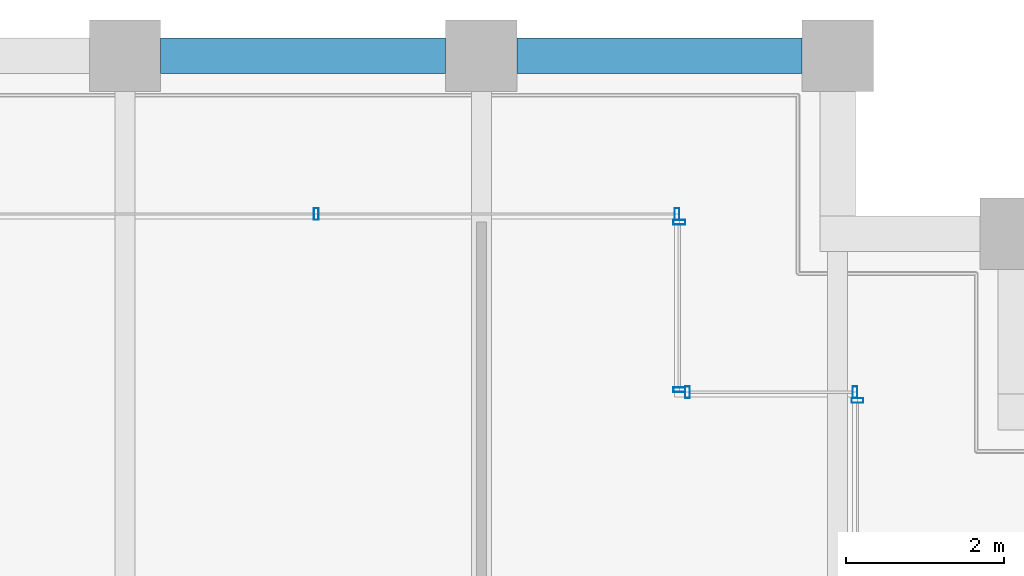
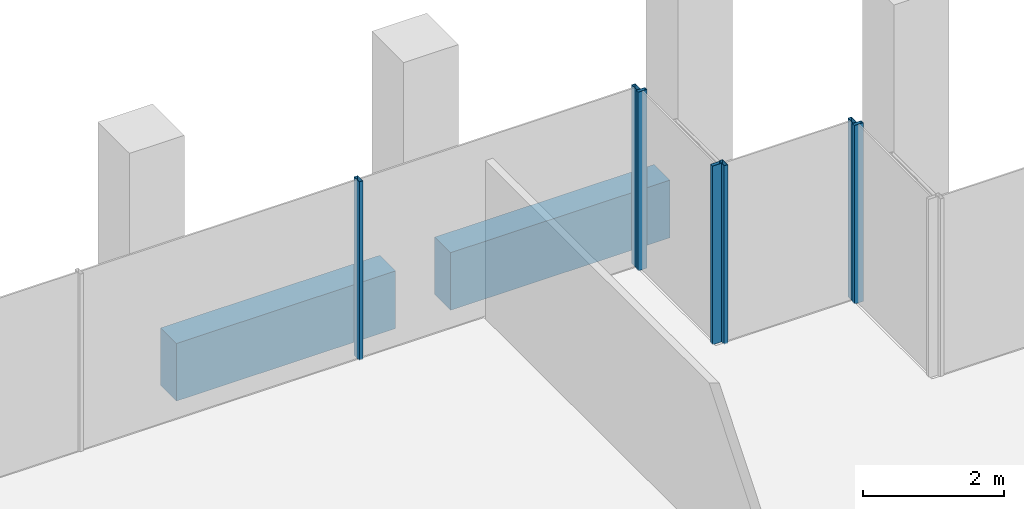
# One storey, part 26 of 40: 7 members, 2 beams, 4 elements without a shape of their own.
"""IFC4 building model written with IfcOpenShell, lengths in metres."""

import ifcopenshell
import ifcopenshell.guid

model = None  # the IFC model being written
_history = None  # IfcOwnerHistory: only IFC2X3 demands one
_inside = {}  # id of a spatial element -> (the spatial element, [elements in it])
_under = {}  # id of a project, library or spatial element -> (it, [spatial elements below it])
_declared = {}  # id of a project -> (the project, [libraries it declares])
_typed = {}  # id of a type object -> (the type object, [elements of that type])
_made_of = {}  # id of a material, layer set ... -> (it, [elements and type objects made of it])


def new_model(schema):
    """Start an empty IFC model of exactly this schema.

    Asked for "IFC4X3", IfcOpenShell would pick the latest addendum, in which some entities
    have other attributes; the version numbers below select the first issue.
    IFC2X3 requires an IfcOwnerHistory on every rooted entity: one is made here for all.
    """
    global model, _history
    if schema == "IFC4X3":
        model = ifcopenshell.file(schema_version=(4, 3, 0, 0))
    else:
        model = ifcopenshell.file(schema=schema)
    _inside.clear()
    _under.clear()
    _declared.clear()
    _typed.clear()
    _made_of.clear()
    _history = None
    if model.schema == "IFC2X3":
        org = make("IfcOrganization", Name="unknown")
        user = make(
            "IfcPersonAndOrganization",
            ThePerson=make("IfcPerson", FamilyName="unknown"),
            TheOrganization=org,
        )
        app = make(
            "IfcApplication",
            ApplicationDeveloper=org,
            Version="unknown",
            ApplicationFullName="unknown",
            ApplicationIdentifier="unknown",
        )
        _history = make(
            "IfcOwnerHistory",
            OwningUser=user,
            OwningApplication=app,
            ChangeAction="ADDED",
            CreationDate=0,
        )
    return model


def make(cls, **values):
    """One entity of the class cls with the attributes given. An attribute that is None is left unset."""
    return model.create_entity(
        cls, **{name: value for name, value in values.items() if value is not None}
    )


def rooted(cls, **values):
    """An entity with a GlobalId (a new one), such as an element, a storey or a relation."""
    return make(cls, GlobalId=ifcopenshell.guid.new(), OwnerHistory=_history, **values)


def si_unit(unit_type, name, prefix=None):
    """IfcSIUnit, for example si_unit("LENGTHUNIT", "METRE", prefix="MILLI")."""
    return make("IfcSIUnit", UnitType=unit_type, Prefix=prefix, Name=name)


def assignment(units):
    """IfcUnitAssignment: the units of a project."""
    return None if units is None else make("IfcUnitAssignment", Units=units)


def point(xyz):
    """IfcCartesianPoint."""
    return None if xyz is None else make("IfcCartesianPoint", Coordinates=xyz)


def direction(xyz):
    """IfcDirection."""
    return None if xyz is None else make("IfcDirection", DirectionRatios=xyz)


def frame(location, z_axis=None, x_axis=None):
    """IfcAxis2Placement3D, a coordinate frame: its origin and axes. An axis left out is left unset."""
    return make(
        "IfcAxis2Placement3D",
        Location=point(location),
        Axis=direction(z_axis),
        RefDirection=direction(x_axis),
    )


def frame_2d(location, x_axis=None):
    """IfcAxis2Placement2D, a coordinate frame in the plane: its origin and x axis."""
    return make(
        "IfcAxis2Placement2D", Location=point(location), RefDirection=direction(x_axis)
    )


def origin():
    """The frame at (0, 0, 0) with its axes left unset."""
    return frame((0.0, 0.0, 0.0))


def origin_2d():
    """The frame at (0, 0) in the plane with its x axis left unset."""
    return frame_2d((0.0, 0.0))


def place(relative_to, where):
    """IfcLocalPlacement: puts the frame where relative to a parent placement (None: the world)."""
    return make(
        "IfcLocalPlacement", PlacementRelTo=relative_to, RelativePlacement=where
    )


def context(
    kind, dimensions, precision=None, world=None, true_north=None, identifier=None
):
    """IfcGeometricRepresentationContext, for example the 3D "Model" context."""
    return make(
        "IfcGeometricRepresentationContext",
        ContextIdentifier=identifier,
        ContextType=kind,
        CoordinateSpaceDimension=dimensions,
        Precision=precision,
        WorldCoordinateSystem=world,
        TrueNorth=true_north,
    )


def subcontext(parent, identifier, kind, view, scale=None):
    """IfcGeometricRepresentationSubContext, for example "Body" below "Model"."""
    return make(
        "IfcGeometricRepresentationSubContext",
        ContextIdentifier=identifier,
        ContextType=kind,
        ParentContext=parent,
        TargetScale=scale,
        TargetView=view,
    )


def project(units=None, contexts=None):
    """IfcProject with its units and contexts."""
    return rooted(
        "IfcProject",
        Name="project",
        RepresentationContexts=contexts,
        UnitsInContext=assignment(units),
    )


def spatial(cls, under=None, at=None, **own):
    """A site, building, storey or space (cls), placed at a placement, below another one or the project."""
    s = rooted(cls, ObjectPlacement=at, **own)
    if under is not None:
        _under.setdefault(under.id(), (under, []))[1].append(s)
    return s


def profile(cls, at=None, kind="AREA", **sizes):
    """A parametric profile (cls). Its sizes go by their IFC names, for example OverallWidth=200.0."""
    return make(cls, ProfileType=kind, Position=at, **sizes)


def rectangle(**sizes):
    """IfcRectangleProfileDef."""
    return profile("IfcRectangleProfileDef", **sizes)


def hollow_rectangle(**sizes):
    """IfcRectangleHollowProfileDef."""
    return profile("IfcRectangleHollowProfileDef", **sizes)


def extrude(swept, where, along, depth):
    """IfcExtrudedAreaSolid: the profile swept, set in the frame where, extruded along a direction by depth."""
    return make(
        "IfcExtrudedAreaSolid",
        SweptArea=swept,
        Position=where,
        ExtrudedDirection=direction(along),
        Depth=depth,
    )


def shape(context_of_items, identifier, shape_type, items):
    """IfcShapeRepresentation: the items that make up one representation, for example the "Body"."""
    return make(
        "IfcShapeRepresentation",
        ContextOfItems=context_of_items,
        RepresentationIdentifier=identifier,
        RepresentationType=shape_type,
        Items=items,
    )


def material(Name=None, Category=None):
    """IfcMaterial."""
    return make("IfcMaterial", Name=Name, Category=Category)


def material_profile(
    of_material, cross_section, Name=None, Category=None, Priority=None
):
    """IfcMaterialProfile: a cross section and its material."""
    return make(
        "IfcMaterialProfile",
        Name=Name,
        Material=of_material,
        Profile=cross_section,
        Priority=Priority,
        Category=Category,
    )


def profile_set(profiles, Name=None, composite=None):
    """IfcMaterialProfileSet."""
    return make(
        "IfcMaterialProfileSet",
        Name=Name,
        MaterialProfiles=profiles,
        CompositeProfile=composite,
    )


def made_of(thing, what):
    """Note that an element or type object is made of a material, layer set ...; save() writes the relation."""
    if what is not None:
        _made_of.setdefault(what.id(), (what, []))[1].append(thing)
    return thing


def type_object(cls, material=None, **own):
    """A type object (cls), such as IfcWallType, which elements share."""
    return made_of(rooted(cls, **own), material)


def element(
    cls,
    number,
    at=None,
    inside=None,
    cuts=None,
    type_object=None,
    material=None,
    context=None,
    identifier="Body",
    shape_type=None,
    held_by="IfcProductDefinitionShape",
    body=None,
    shapes=None,
    **own,
):
    """One element of the class cls, such as IfcWall. Its Tag is "e" and its number.

    at: its placement. inside: the storey or other place that contains it. cuts: it is an
    opening in that element (IfcRelVoidsElement). A single representation is given by context,
    identifier, shape_type and body (its items); several are given by shapes. held_by: the class
    of the entity that holds the representations. save() writes the other relations.
    """
    e = rooted(cls, Tag="e%d" % number, ObjectPlacement=at, **own)
    if body is not None:
        shapes = [shape(context, identifier, shape_type, body)]
    if shapes is not None:
        e.Representation = make(held_by, Representations=shapes)
    if inside is not None:
        _inside.setdefault(inside.id(), (inside, []))[1].append(e)
    if cuts is not None:
        rooted(
            "IfcRelVoidsElement", RelatingBuildingElement=cuts, RelatedOpeningElement=e
        )
    if type_object is not None:
        _typed.setdefault(type_object.id(), (type_object, []))[1].append(e)
    return made_of(e, material)


def aggregate(whole, parts):
    """IfcRelAggregates: a whole, such as a stair, and the parts it consists of."""
    return rooted("IfcRelAggregates", RelatingObject=whole, RelatedObjects=parts)


def save(model, path):
    """Write the relations noted so far, then the file.

    IfcRelAggregates (storeys below a building ...), IfcRelContainedInSpatialStructure (elements
    in a storey), IfcRelDefinesByType, IfcRelAssociatesMaterial and IfcRelDeclares: one each for
    every whole, place, type object, material and project.
    """
    for whole, parts in _under.values():
        aggregate(whole, parts)
    for where, things in _inside.values():
        rooted(
            "IfcRelContainedInSpatialStructure",
            RelatedElements=things,
            RelatingStructure=where,
        )
    for kind, things in _typed.values():
        rooted("IfcRelDefinesByType", RelatedObjects=things, RelatingType=kind)
    for what, things in _made_of.values():
        rooted("IfcRelAssociatesMaterial", RelatedObjects=things, RelatingMaterial=what)
    for by, libraries in _declared.values():
        rooted("IfcRelDeclares", RelatingContext=by, RelatedDefinitions=libraries)
    model.write(path)


model = new_model("IFC4")

# Units and contexts
model_context = context("Model", 3, precision=1e-05, world=origin(), true_north=direction((0.0, 1.0)))
body_context = subcontext(model_context, "Body", "Model", "MODEL_VIEW")
ifc_project = project(units=[si_unit("LENGTHUNIT", "METRE"), si_unit("AREAUNIT", "SQUARE_METRE"), si_unit("VOLUMEUNIT", "CUBIC_METRE"), si_unit("PLANEANGLEUNIT", "RADIAN"), si_unit("MASSUNIT", "GRAM", prefix="KILO")], contexts=[model_context])

# Site, building, storey
site_placement = place(None, origin())
site = spatial("IfcSite", under=ifc_project, at=site_placement, CompositionType="ELEMENT")
building_placement = place(site_placement, origin())
building = spatial("IfcBuilding", under=site, at=building_placement, Name="Altepetl Exchange Towers", CompositionType="ELEMENT")
storey_placement = place(building_placement, frame((0.0, 0.0, 158.199951171875)))
storey = spatial("IfcBuildingStorey", under=building, at=storey_placement, Name="L39", CompositionType="ELEMENT", Elevation=158.199951171875)

# Curtain wall, member
ifc_material_1 = material(Name="Aluminium 6063-T6 glazing", Category="aluminium")
curtain_wall_type = type_object("IfcCurtainWallType", Name="Loggia glazing system", PredefinedType="NOTDEFINED", material=ifc_material_1)
curtain_wall_1_placement = place(storey_placement, origin())
curtain_wall_1 = element("IfcCurtainWall", 1, at=curtain_wall_1_placement, inside=storey, type_object=curtain_wall_type, Name="CW1 run", PredefinedType="NOTDEFINED")
ifc_material_2 = material(Name="Aluminium 6063-T6", Category="aluminium")
ifc_material_profile_1 = material_profile(ifc_material_2, hollow_rectangle(XDim=0.06005859375, YDim=0.14990234375, WallThickness=0.0029296875, at=origin_2d()), Name="Mullion 60x150 aluminium")
ifc_profile_set_1 = profile_set([ifc_material_profile_1], Name="Aluminium 6063-T6")
member_type = type_object("IfcMemberType", Name="Mullion 60x150 aluminium", PredefinedType="MULLION", material=ifc_profile_set_1)
member_1_placement = place(storey_placement, frame((67.75, 67.64501953125, 0.0), z_axis=(0.0, 0.0, 1.0), x_axis=(0.0, 1.0, 0.0)))
member_1 = element("IfcMember", 2, at=member_1_placement, type_object=member_type, Name="MU1 mullion", PredefinedType="MULLION", context=body_context, shape_type="SweptSolid", body=[
    extrude(hollow_rectangle(XDim=0.06005859375, YDim=0.14990234375, WallThickness=0.0029296875, at=origin_2d()), origin(), (0.0, 0.0, 1.0), 3.10009765625),
])
aggregate(curtain_wall_1, [member_1])

# Curtain wall, members
curtain_wall_2_placement = place(storey_placement, origin())
curtain_wall_2 = element("IfcCurtainWall", 3, at=curtain_wall_2_placement, inside=storey, type_object=curtain_wall_type, Name="CW1 run", PredefinedType="NOTDEFINED")
member_2_placement = place(storey_placement, frame((67.719970703125, 67.75, 0.0), z_axis=(0.0, 0.0, 1.0), x_axis=(-1.0, 0.0, 0.0)))
member_2 = element("IfcMember", 4, at=member_2_placement, type_object=member_type, Name="MU1 mullion", PredefinedType="MULLION", context=body_context, shape_type="SweptSolid", body=[
    extrude(hollow_rectangle(XDim=0.06005859375, YDim=0.14990234375, WallThickness=0.0029296875, at=origin_2d()), origin(), (0.0, 0.0, 1.0), 3.10009765625),
])
member_3_placement = place(storey_placement, frame((65.60498046875, 67.75, 0.0), z_axis=(0.0, 0.0, 1.0), x_axis=(-1.0, 0.0, 0.0)))
member_3 = element("IfcMember", 5, at=member_3_placement, type_object=member_type, Name="MU1 mullion", PredefinedType="MULLION", context=body_context, shape_type="SweptSolid", body=[
    extrude(hollow_rectangle(XDim=0.06005859375, YDim=0.14990234375, WallThickness=0.0029296875, at=origin_2d()), origin(), (0.0, 0.0, 1.0), 3.10009765625),
])
aggregate(curtain_wall_2, [member_2, member_3])

curtain_wall_3_placement = place(storey_placement, origin())
curtain_wall_3 = element("IfcCurtainWall", 6, at=curtain_wall_3_placement, inside=storey, type_object=curtain_wall_type, Name="CW1 run", PredefinedType="NOTDEFINED")
member_4_placement = place(storey_placement, frame((65.5, 67.780029296875, 0.0), z_axis=(0.0, 0.0, 1.0), x_axis=(0.0, 1.0, 0.0)))
member_4 = element("IfcMember", 7, at=member_4_placement, type_object=member_type, Name="MU1 mullion", PredefinedType="MULLION", context=body_context, shape_type="SweptSolid", body=[
    extrude(hollow_rectangle(XDim=0.06005859375, YDim=0.14990234375, WallThickness=0.0029296875, at=origin_2d()), origin(), (0.0, 0.0, 1.0), 3.10009765625),
])
member_5_placement = place(storey_placement, frame((65.5, 69.89501953125, 0.0), z_axis=(0.0, 0.0, 1.0), x_axis=(0.0, 1.0, 0.0)))
member_5 = element("IfcMember", 8, at=member_5_placement, type_object=member_type, Name="MU1 mullion", PredefinedType="MULLION", context=body_context, shape_type="SweptSolid", body=[
    extrude(hollow_rectangle(XDim=0.06005859375, YDim=0.14990234375, WallThickness=0.0029296875, at=origin_2d()), origin(), (0.0, 0.0, 1.0), 3.10009765625),
])
aggregate(curtain_wall_3, [member_4, member_5])

curtain_wall_4_placement = place(storey_placement, origin())
curtain_wall_4 = element("IfcCurtainWall", 9, at=curtain_wall_4_placement, inside=storey, type_object=curtain_wall_type, Name="CW1 run", PredefinedType="NOTDEFINED")
member_6_placement = place(storey_placement, frame((65.469970703125, 70.0, 0.0), z_axis=(0.0, 0.0, 1.0), x_axis=(-1.0, 0.0, 0.0)))
member_6 = element("IfcMember", 10, at=member_6_placement, type_object=member_type, Name="MU1 mullion", PredefinedType="MULLION", context=body_context, shape_type="SweptSolid", body=[
    extrude(hollow_rectangle(XDim=0.06005859375, YDim=0.14990234375, WallThickness=0.0029296875, at=origin_2d()), origin(), (0.0, 0.0, 1.0), 3.10009765625),
])
member_7_placement = place(storey_placement, frame((60.9150390625, 70.0, 0.0), z_axis=(0.0, 0.0, 1.0), x_axis=(-1.0, 0.0, 0.0)))
member_7 = element("IfcMember", 11, at=member_7_placement, type_object=member_type, Name="MU1 mullion", PredefinedType="MULLION", context=body_context, shape_type="SweptSolid", body=[
    extrude(hollow_rectangle(XDim=0.06005859375, YDim=0.14990234375, WallThickness=0.0029296875, at=origin_2d()), origin(), (0.0, 0.0, 1.0), 3.10009765625),
])
aggregate(curtain_wall_4, [member_6, member_7])

# Beams
ifc_material_3 = material(Name="Concrete C50/60 precast with cantera rosa facing", Category="concrete")
ifc_material_profile_2 = material_profile(ifc_material_3, rectangle(XDim=0.449951171875, YDim=1.0, at=origin_2d()), Name="450 x 1000")
ifc_profile_set_2 = profile_set([ifc_material_profile_2], Name="Concrete C50/60 precast with cantera rosa facing")
beam_type = type_object("IfcBeamType", Name="Spandrel beam 450x1000 cantera rosa", PredefinedType="SPANDREL", material=ifc_profile_set_2)
for number, where, z_axis, x_axis, name in (
    (12, (67.050048828125, 72.0, -0.64990234375), (-1.0, 0.0, 0.0), (0.0, -1.0, 0.0), "sp:A:L39:024"),
    (13, (62.550048828125, 72.0, -0.64990234375), (-1.0, 0.0, 0.0), (0.0, -1.0, 0.0), "sp:A:L39:025"),
):
    element("IfcBeam", number, at=place(storey_placement, frame(where, z_axis=z_axis, x_axis=x_axis)), inside=storey, type_object=beam_type, Name=name, PredefinedType="SPANDREL", context=body_context, shape_type="SweptSolid", body=[
        extrude(rectangle(XDim=0.449951171875, YDim=1.0, at=origin_2d()), origin(), (0.0, 0.0, 1.0), 3.60009765625),
    ])

save(model, "model.ifc")
